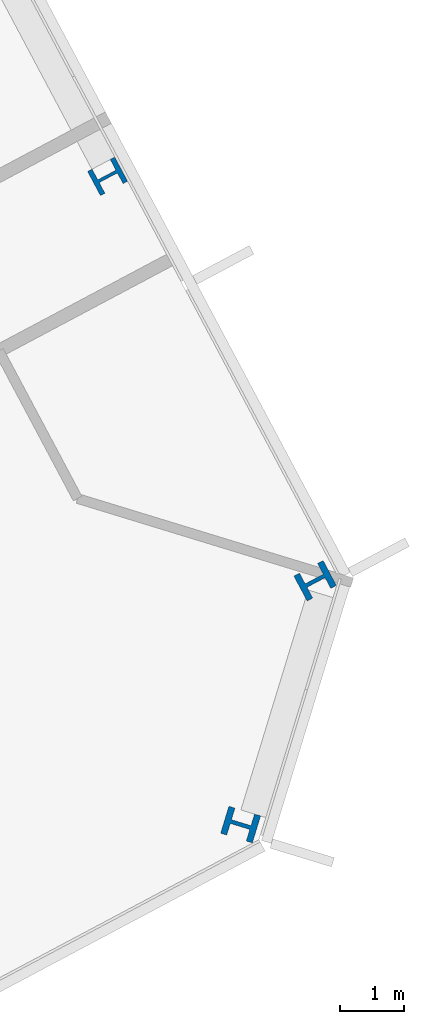
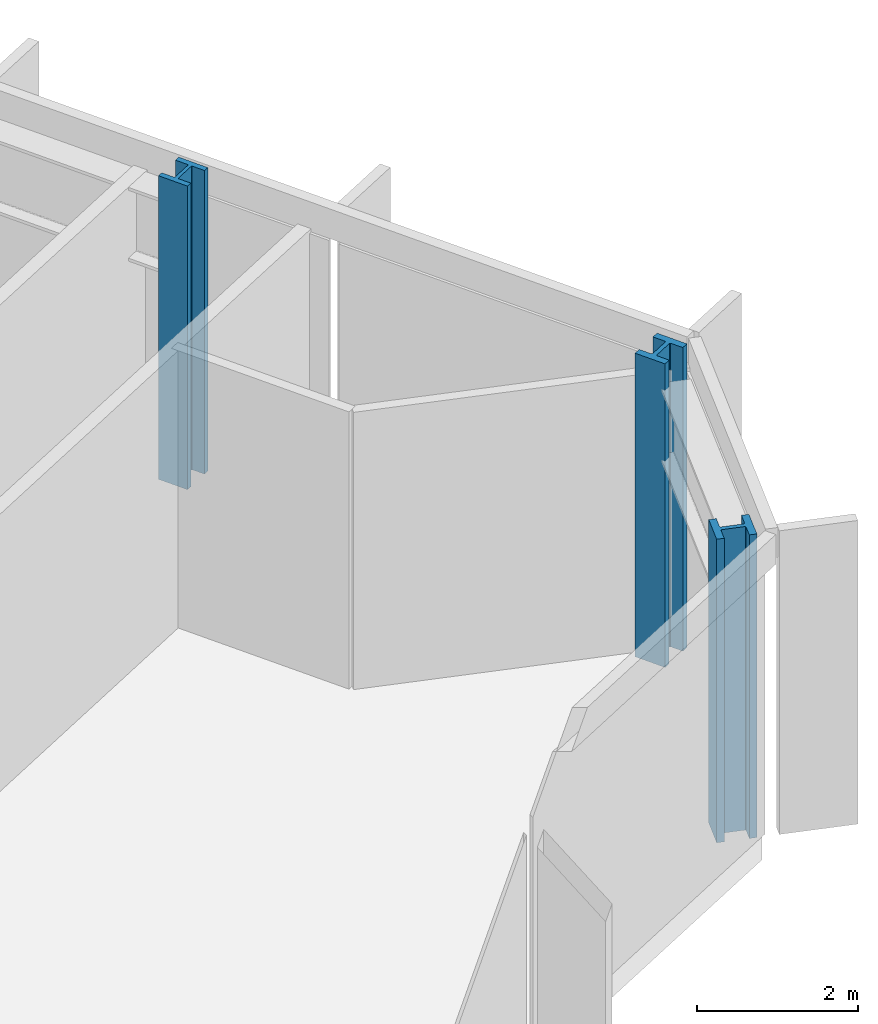
# One storey, part 6 of 32: 3 columns.
"""IFC4 building model written with IfcOpenShell, lengths in metres."""

import ifcopenshell
import ifcopenshell.guid

model = None  # the IFC model being written
_history = None  # IfcOwnerHistory: only IFC2X3 demands one
_inside = {}  # id of a spatial element -> (the spatial element, [elements in it])
_under = {}  # id of a project, library or spatial element -> (it, [spatial elements below it])
_declared = {}  # id of a project -> (the project, [libraries it declares])
_typed = {}  # id of a type object -> (the type object, [elements of that type])
_made_of = {}  # id of a material, layer set ... -> (it, [elements and type objects made of it])


def new_model(schema):
    """Start an empty IFC model of exactly this schema.

    Asked for "IFC4X3", IfcOpenShell would pick the latest addendum, in which some entities
    have other attributes; the version numbers below select the first issue.
    IFC2X3 requires an IfcOwnerHistory on every rooted entity: one is made here for all.
    """
    global model, _history
    if schema == "IFC4X3":
        model = ifcopenshell.file(schema_version=(4, 3, 0, 0))
    else:
        model = ifcopenshell.file(schema=schema)
    _inside.clear()
    _under.clear()
    _declared.clear()
    _typed.clear()
    _made_of.clear()
    _history = None
    if model.schema == "IFC2X3":
        org = make("IfcOrganization", Name="unknown")
        user = make(
            "IfcPersonAndOrganization",
            ThePerson=make("IfcPerson", FamilyName="unknown"),
            TheOrganization=org,
        )
        app = make(
            "IfcApplication",
            ApplicationDeveloper=org,
            Version="unknown",
            ApplicationFullName="unknown",
            ApplicationIdentifier="unknown",
        )
        _history = make(
            "IfcOwnerHistory",
            OwningUser=user,
            OwningApplication=app,
            ChangeAction="ADDED",
            CreationDate=0,
        )
    return model


def make(cls, **values):
    """One entity of the class cls with the attributes given. An attribute that is None is left unset."""
    return model.create_entity(
        cls, **{name: value for name, value in values.items() if value is not None}
    )


def rooted(cls, **values):
    """An entity with a GlobalId (a new one), such as an element, a storey or a relation."""
    return make(cls, GlobalId=ifcopenshell.guid.new(), OwnerHistory=_history, **values)


def si_unit(unit_type, name, prefix=None):
    """IfcSIUnit, for example si_unit("LENGTHUNIT", "METRE", prefix="MILLI")."""
    return make("IfcSIUnit", UnitType=unit_type, Prefix=prefix, Name=name)


def assignment(units):
    """IfcUnitAssignment: the units of a project."""
    return None if units is None else make("IfcUnitAssignment", Units=units)


def point(xyz):
    """IfcCartesianPoint."""
    return None if xyz is None else make("IfcCartesianPoint", Coordinates=xyz)


def direction(xyz):
    """IfcDirection."""
    return None if xyz is None else make("IfcDirection", DirectionRatios=xyz)


def frame(location, z_axis=None, x_axis=None):
    """IfcAxis2Placement3D, a coordinate frame: its origin and axes. An axis left out is left unset."""
    return make(
        "IfcAxis2Placement3D",
        Location=point(location),
        Axis=direction(z_axis),
        RefDirection=direction(x_axis),
    )


def frame_2d(location, x_axis=None):
    """IfcAxis2Placement2D, a coordinate frame in the plane: its origin and x axis."""
    return make(
        "IfcAxis2Placement2D", Location=point(location), RefDirection=direction(x_axis)
    )


def origin():
    """The frame at (0, 0, 0) with its axes left unset."""
    return frame((0.0, 0.0, 0.0))


def origin_2d():
    """The frame at (0, 0) in the plane with its x axis left unset."""
    return frame_2d((0.0, 0.0))


def place(relative_to, where):
    """IfcLocalPlacement: puts the frame where relative to a parent placement (None: the world)."""
    return make(
        "IfcLocalPlacement", PlacementRelTo=relative_to, RelativePlacement=where
    )


def context(
    kind, dimensions, precision=None, world=None, true_north=None, identifier=None
):
    """IfcGeometricRepresentationContext, for example the 3D "Model" context."""
    return make(
        "IfcGeometricRepresentationContext",
        ContextIdentifier=identifier,
        ContextType=kind,
        CoordinateSpaceDimension=dimensions,
        Precision=precision,
        WorldCoordinateSystem=world,
        TrueNorth=true_north,
    )


def subcontext(parent, identifier, kind, view, scale=None):
    """IfcGeometricRepresentationSubContext, for example "Body" below "Model"."""
    return make(
        "IfcGeometricRepresentationSubContext",
        ContextIdentifier=identifier,
        ContextType=kind,
        ParentContext=parent,
        TargetScale=scale,
        TargetView=view,
    )


def project(units=None, contexts=None):
    """IfcProject with its units and contexts."""
    return rooted(
        "IfcProject",
        Name="project",
        RepresentationContexts=contexts,
        UnitsInContext=assignment(units),
    )


def spatial(cls, under=None, at=None, **own):
    """A site, building, storey or space (cls), placed at a placement, below another one or the project."""
    s = rooted(cls, ObjectPlacement=at, **own)
    if under is not None:
        _under.setdefault(under.id(), (under, []))[1].append(s)
    return s


def profile(cls, at=None, kind="AREA", **sizes):
    """A parametric profile (cls). Its sizes go by their IFC names, for example OverallWidth=200.0."""
    return make(cls, ProfileType=kind, Position=at, **sizes)


def i_section(**sizes):
    """IfcIShapeProfileDef."""
    return profile("IfcIShapeProfileDef", **sizes)


def extrude(swept, where, along, depth):
    """IfcExtrudedAreaSolid: the profile swept, set in the frame where, extruded along a direction by depth."""
    return make(
        "IfcExtrudedAreaSolid",
        SweptArea=swept,
        Position=where,
        ExtrudedDirection=direction(along),
        Depth=depth,
    )


def shape(context_of_items, identifier, shape_type, items):
    """IfcShapeRepresentation: the items that make up one representation, for example the "Body"."""
    return make(
        "IfcShapeRepresentation",
        ContextOfItems=context_of_items,
        RepresentationIdentifier=identifier,
        RepresentationType=shape_type,
        Items=items,
    )


def material(Name=None, Category=None):
    """IfcMaterial."""
    return make("IfcMaterial", Name=Name, Category=Category)


def material_profile(
    of_material, cross_section, Name=None, Category=None, Priority=None
):
    """IfcMaterialProfile: a cross section and its material."""
    return make(
        "IfcMaterialProfile",
        Name=Name,
        Material=of_material,
        Profile=cross_section,
        Priority=Priority,
        Category=Category,
    )


def profile_set(profiles, Name=None, composite=None):
    """IfcMaterialProfileSet."""
    return make(
        "IfcMaterialProfileSet",
        Name=Name,
        MaterialProfiles=profiles,
        CompositeProfile=composite,
    )


def made_of(thing, what):
    """Note that an element or type object is made of a material, layer set ...; save() writes the relation."""
    if what is not None:
        _made_of.setdefault(what.id(), (what, []))[1].append(thing)
    return thing


def type_object(cls, material=None, **own):
    """A type object (cls), such as IfcWallType, which elements share."""
    return made_of(rooted(cls, **own), material)


def element(
    cls,
    number,
    at=None,
    inside=None,
    cuts=None,
    type_object=None,
    material=None,
    context=None,
    identifier="Body",
    shape_type=None,
    held_by="IfcProductDefinitionShape",
    body=None,
    shapes=None,
    **own,
):
    """One element of the class cls, such as IfcWall. Its Tag is "e" and its number.

    at: its placement. inside: the storey or other place that contains it. cuts: it is an
    opening in that element (IfcRelVoidsElement). A single representation is given by context,
    identifier, shape_type and body (its items); several are given by shapes. held_by: the class
    of the entity that holds the representations. save() writes the other relations.
    """
    e = rooted(cls, Tag="e%d" % number, ObjectPlacement=at, **own)
    if body is not None:
        shapes = [shape(context, identifier, shape_type, body)]
    if shapes is not None:
        e.Representation = make(held_by, Representations=shapes)
    if inside is not None:
        _inside.setdefault(inside.id(), (inside, []))[1].append(e)
    if cuts is not None:
        rooted(
            "IfcRelVoidsElement", RelatingBuildingElement=cuts, RelatedOpeningElement=e
        )
    if type_object is not None:
        _typed.setdefault(type_object.id(), (type_object, []))[1].append(e)
    return made_of(e, material)


def aggregate(whole, parts):
    """IfcRelAggregates: a whole, such as a stair, and the parts it consists of."""
    return rooted("IfcRelAggregates", RelatingObject=whole, RelatedObjects=parts)


def save(model, path):
    """Write the relations noted so far, then the file.

    IfcRelAggregates (storeys below a building ...), IfcRelContainedInSpatialStructure (elements
    in a storey), IfcRelDefinesByType, IfcRelAssociatesMaterial and IfcRelDeclares: one each for
    every whole, place, type object, material and project.
    """
    for whole, parts in _under.values():
        aggregate(whole, parts)
    for where, things in _inside.values():
        rooted(
            "IfcRelContainedInSpatialStructure",
            RelatedElements=things,
            RelatingStructure=where,
        )
    for kind, things in _typed.values():
        rooted("IfcRelDefinesByType", RelatedObjects=things, RelatingType=kind)
    for what, things in _made_of.values():
        rooted("IfcRelAssociatesMaterial", RelatedObjects=things, RelatingMaterial=what)
    for by, libraries in _declared.values():
        rooted("IfcRelDeclares", RelatingContext=by, RelatedDefinitions=libraries)
    model.write(path)


model = new_model("IFC4")

# Units and contexts
model_context = context("Model", 3, precision=1e-05, world=origin(), true_north=direction((0.0, 1.0)))
body_context = subcontext(model_context, "Body", "Model", "MODEL_VIEW")
ifc_project = project(units=[si_unit("LENGTHUNIT", "METRE"), si_unit("AREAUNIT", "SQUARE_METRE"), si_unit("VOLUMEUNIT", "CUBIC_METRE"), si_unit("PLANEANGLEUNIT", "RADIAN"), si_unit("MASSUNIT", "GRAM", prefix="KILO")], contexts=[model_context])

# Site, building, storey
site_placement = place(None, origin())
site = spatial("IfcSite", under=ifc_project, at=site_placement, CompositionType="ELEMENT")
building_placement = place(site_placement, origin())
building = spatial("IfcBuilding", under=site, at=building_placement, Name="Cormorant Relay Tower", CompositionType="ELEMENT")
storey_placement = place(building_placement, frame((0.0, 0.0, 75.39990234375)))
storey = spatial("IfcBuildingStorey", under=building, at=storey_placement, Name="L14", CompositionType="ELEMENT", Elevation=75.39990234375)

# Columns
ifc_material_1 = material(Name="Steel ASTM A992 (Fy 345 MPa)", Category="steel")
ifc_material_profile_1 = material_profile(ifc_material_1, i_section(OverallWidth=0.42431640625, OverallDepth=0.47509765625, WebThickness=0.0478515625, FlangeThickness=0.0771484375, FilletRadius=0.014892578125, at=origin_2d()), Name="W360x634")
ifc_profile_set_1 = profile_set([ifc_material_profile_1], Name="Steel ASTM A992 (Fy 345 MPa)")
column_type_1 = type_object("IfcColumnType", Name="Column W360x634", PredefinedType="COLUMN", material=ifc_profile_set_1)
column_placement = place(storey_placement, frame((68.430908203125, 24.153076171875, 0.0), z_axis=(0.0, 0.0, 1.0), x_axis=(-0.469471562786, 0.882947592859, 0.0)))
element("IfcColumn", 1, at=column_placement, inside=storey, type_object=column_type_1, Name="Column L14-033", PredefinedType="COLUMN", context=body_context, shape_type="SweptSolid", body=[
    extrude(i_section(OverallWidth=0.42431640625, OverallDepth=0.47509765625, WebThickness=0.0478515625, FlangeThickness=0.0771484375, FilletRadius=0.014892578125, at=origin_2d()), origin(), (0.0, 0.0, 1.0), 4.60009765625),
])
ifc_material_2 = material(Name="Steel ASTM A992 (Fy 345 MPa)", Category="steel")
ifc_material_profile_2 = material_profile(ifc_material_2, i_section(OverallWidth=0.43701171875, OverallDepth=0.51318359375, WebThickness=0.060546875, FlangeThickness=0.096923828125, FilletRadius=0.015380859375, at=origin_2d()), Name="W360x818")
ifc_profile_set_2 = profile_set([ifc_material_profile_2], Name="Steel ASTM A992 (Fy 345 MPa)")
column_type_2 = type_object("IfcColumnType", Name="Column W360x818", PredefinedType="COLUMN", material=ifc_profile_set_2)
for number, where, z_axis, x_axis, name in (
    (2, (70.4970703125, 14.0869140625, 0.0), (0.0, 0.0, 1.0), (0.292371704723, 0.956304755963, 0.0), "Column L14-026"),
    (3, (71.654052734375, 17.873046875, 0.0), (0.0, 0.0, 1.0), (-0.469471562786, 0.882947592859, 0.0), "Column L14-028"),
):
    element("IfcColumn", number, at=place(storey_placement, frame(where, z_axis=z_axis, x_axis=x_axis)), inside=storey, type_object=column_type_2, Name=name, PredefinedType="COLUMN", context=body_context, shape_type="SweptSolid", body=[
        extrude(i_section(OverallWidth=0.43701171875, OverallDepth=0.51318359375, WebThickness=0.060546875, FlangeThickness=0.096923828125, FilletRadius=0.015380859375, at=origin_2d()), origin(), (0.0, 0.0, 1.0), 4.60009765625),
    ])

save(model, "model.ifc")
